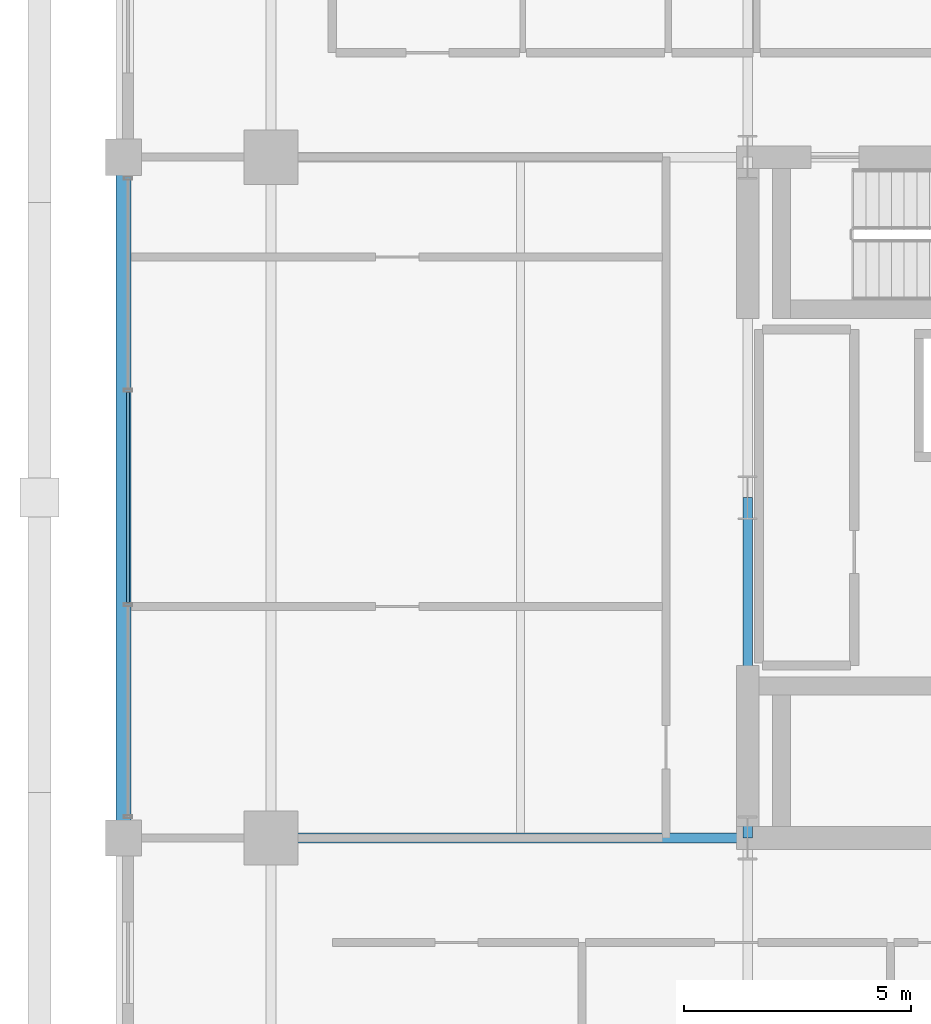
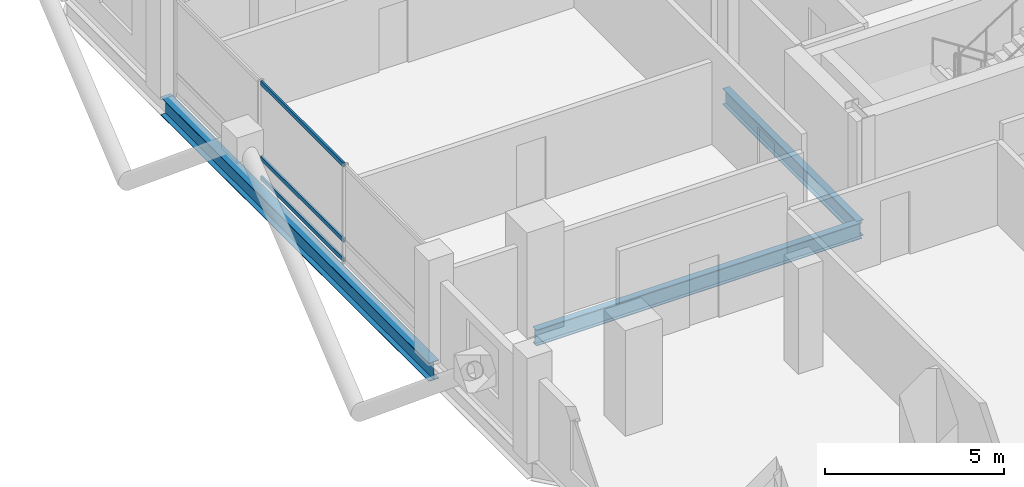
# One storey, part 5 of 23: 3 beams, 3 members, 1 element without a shape of its own.
"""IFC4 building model written with IfcOpenShell, lengths in metres."""

from ifc_helpers import new_model, si_unit, direction, frame, origin, origin_2d, place, context, subcontext, project, spatial, hollow_rectangle, i_section, extrude, material, layer, layer_set, material_profile, profile_set, type_object, element, aggregate, save


model = new_model("IFC4")

# Units and contexts
model_context = context("Model", 3, precision=1e-05, world=origin(), true_north=direction((0.0, 1.0)))
body_context = subcontext(model_context, "Body", "Model", "MODEL_VIEW")
ifc_project = project(units=[si_unit("LENGTHUNIT", "METRE"), si_unit("AREAUNIT", "SQUARE_METRE"), si_unit("VOLUMEUNIT", "CUBIC_METRE"), si_unit("PLANEANGLEUNIT", "RADIAN"), si_unit("MASSUNIT", "GRAM", prefix="KILO")], contexts=[model_context])

# Site, building, storey
site_placement = place(None, origin())
site = spatial("IfcSite", under=ifc_project, at=site_placement, CompositionType="ELEMENT")
building_placement = place(site_placement, origin())
building = spatial("IfcBuilding", under=site, at=building_placement, Name="Barlavira Tower and Art Museum", CompositionType="ELEMENT")
storey_placement = place(building_placement, frame((0.0, 0.0, 151.199951171875)))
storey = spatial("IfcBuildingStorey", under=building, at=storey_placement, Name="L38", CompositionType="ELEMENT", Elevation=151.199951171875)

# Curtain wall, members
ifc_material_1 = material(Name="Low-iron coastal laminated glass", Category="glass")
ifc_layer = layer(ifc_material_1, 0.18994140625, Name="Low-iron coastal laminated glass")
ifc_layer_set = layer_set([ifc_layer], Name="Low-iron coastal laminated glass")
curtain_wall_type = type_object("IfcCurtainWallType", Name="Pale-Metal Unitised Curtain Wall Zone 2", PredefinedType="NOTDEFINED", material=ifc_layer_set)
curtain_wall_placement = place(storey_placement, origin())
curtain_wall = element("IfcCurtainWall", 1, at=curtain_wall_placement, inside=storey, type_object=curtain_wall_type, Name="L38 Curtain Wall CW2-L38-W-B3", PredefinedType="NOTDEFINED")
ifc_material_2 = material(Name="Pale anodised aluminium", Category="aluminium")
ifc_material_profile_1 = material_profile(ifc_material_2, hollow_rectangle(XDim=0.06494140625, YDim=0.139892578125, WallThickness=0.00390625, at=origin_2d()), Name="ALU-TRAN 65x140x4")
ifc_profile_set_1 = profile_set([ifc_material_profile_1], Name="Pale anodised aluminium")
member_type = type_object("IfcMemberType", Name="Curtain Wall Pale-Metal Transom 65x140", PredefinedType="USERDEFINED", material=ifc_profile_set_1)
member_1_placement = place(storey_placement, frame((-20.14990234375, 2.31494140625, 0.070068359375), z_axis=(0.0, -1.0, 0.0), x_axis=(1.0, 0.0, 0.0)))
member_1 = element("IfcMember", 2, at=member_1_placement, type_object=member_type, Name="CW2-L38-W-B3 Transom 1.1", ObjectType="TRANSOM", PredefinedType="USERDEFINED", context=body_context, shape_type="SweptSolid", body=[
    extrude(hollow_rectangle(XDim=0.06494140625, YDim=0.139892578125, WallThickness=0.00390625, at=origin_2d()), origin(), (0.0, 0.0, 1.0), 4.6298828125),
])
member_2_placement = place(storey_placement, frame((-20.14990234375, 2.31494140625, 0.744140625), z_axis=(0.0, -1.0, 0.0), x_axis=(1.0, 0.0, 0.0)))
member_2 = element("IfcMember", 3, at=member_2_placement, type_object=member_type, Name="CW2-L38-W-B3 Transom 1.2", ObjectType="TRANSOM", PredefinedType="USERDEFINED", context=body_context, shape_type="SweptSolid", body=[
    extrude(hollow_rectangle(XDim=0.06494140625, YDim=0.139892578125, WallThickness=0.00390625, at=origin_2d()), origin(), (0.0, 0.0, 1.0), 4.6298828125),
])
member_3_placement = place(storey_placement, frame((-20.14990234375, 2.31494140625, 3.31005859375), z_axis=(0.0, -1.0, 0.0), x_axis=(1.0, 0.0, 0.0)))
member_3 = element("IfcMember", 4, at=member_3_placement, type_object=member_type, Name="CW2-L38-W-B3 Transom 1.3", ObjectType="TRANSOM", PredefinedType="USERDEFINED", context=body_context, shape_type="SweptSolid", body=[
    extrude(hollow_rectangle(XDim=0.06494140625, YDim=0.139892578125, WallThickness=0.00390625, at=origin_2d()), origin(), (0.0, 0.0, 1.0), 4.6298828125),
])
aggregate(curtain_wall, [member_1, member_2, member_3])

# Beams
ifc_material_3 = material(Name="Steel S355", Category="steel")
ifc_material_profile_2 = material_profile(ifc_material_3, i_section(OverallWidth=0.327880859375, OverallDepth=0.62890625, WebThickness=0.013916015625, FlangeThickness=0.021484375, at=origin_2d()), Name="W610x174.0")
ifc_profile_set_2 = profile_set([ifc_material_profile_2], Name="Steel S355")
beam_type_1 = type_object("IfcBeamType", Name="Perimeter Spandrel Edge Beam W610x174 Steel S355", PredefinedType="SPANDREL", material=ifc_profile_set_2)
beam_1_placement = place(storey_placement, frame((-20.25, -7.5, -0.534423828125), z_axis=(0.0, 1.0, 0.0), x_axis=(-1.0, 0.0, 0.0)))
element("IfcBeam", 5, at=beam_1_placement, inside=storey, type_object=beam_type_1, Name="L38 Spandrel 14", PredefinedType="SPANDREL", context=body_context, shape_type="SweptSolid", body=[
    extrude(i_section(OverallWidth=0.327880859375, OverallDepth=0.62890625, WebThickness=0.013916015625, FlangeThickness=0.021484375, at=origin_2d()), origin(), (0.0, 0.0, 1.0), 15.0),
])
ifc_material_profile_3 = material_profile(ifc_material_3, i_section(OverallWidth=0.214111328125, OverallDepth=0.549072265625, WebThickness=0.0146484375, FlangeThickness=0.023681640625, at=origin_2d()), Name="W530x138.0")
ifc_profile_set_3 = profile_set([ifc_material_profile_3], Name="Steel S355")
beam_type_2 = type_object("IfcBeamType", Name="Zone 1 Primary Floor Girder W530x138 Steel S355", PredefinedType="BEAM", material=ifc_profile_set_3)
beam_2_placement = place(storey_placement, frame((-6.5, -7.5, -0.494384765625), z_axis=(0.0, 1.0, 0.0), x_axis=(-1.0, 0.0, 0.0)))
element("IfcBeam", 6, at=beam_2_placement, inside=storey, type_object=beam_type_2, Name="L38 Girder C-W1", PredefinedType="BEAM", context=body_context, shape_type="SweptSolid", body=[
    extrude(i_section(OverallWidth=0.214111328125, OverallDepth=0.549072265625, WebThickness=0.0146484375, FlangeThickness=0.023681640625, at=origin_2d()), origin(), (0.0, 0.0, 1.0), 7.5),
])
beam_3_placement = place(storey_placement, frame((-17.0, -7.5, -0.494384765625), z_axis=(1.0, 0.0, 0.0), x_axis=(0.0, 1.0, 0.0)))
element("IfcBeam", 7, at=beam_3_placement, inside=storey, type_object=beam_type_2, Name="L38 Girder R-W1", PredefinedType="BEAM", context=body_context, shape_type="SweptSolid", body=[
    extrude(i_section(OverallWidth=0.214111328125, OverallDepth=0.549072265625, WebThickness=0.0146484375, FlangeThickness=0.023681640625, at=origin_2d()), origin(), (0.0, 0.0, 1.0), 10.5),
])

save(model, "model.ifc")
